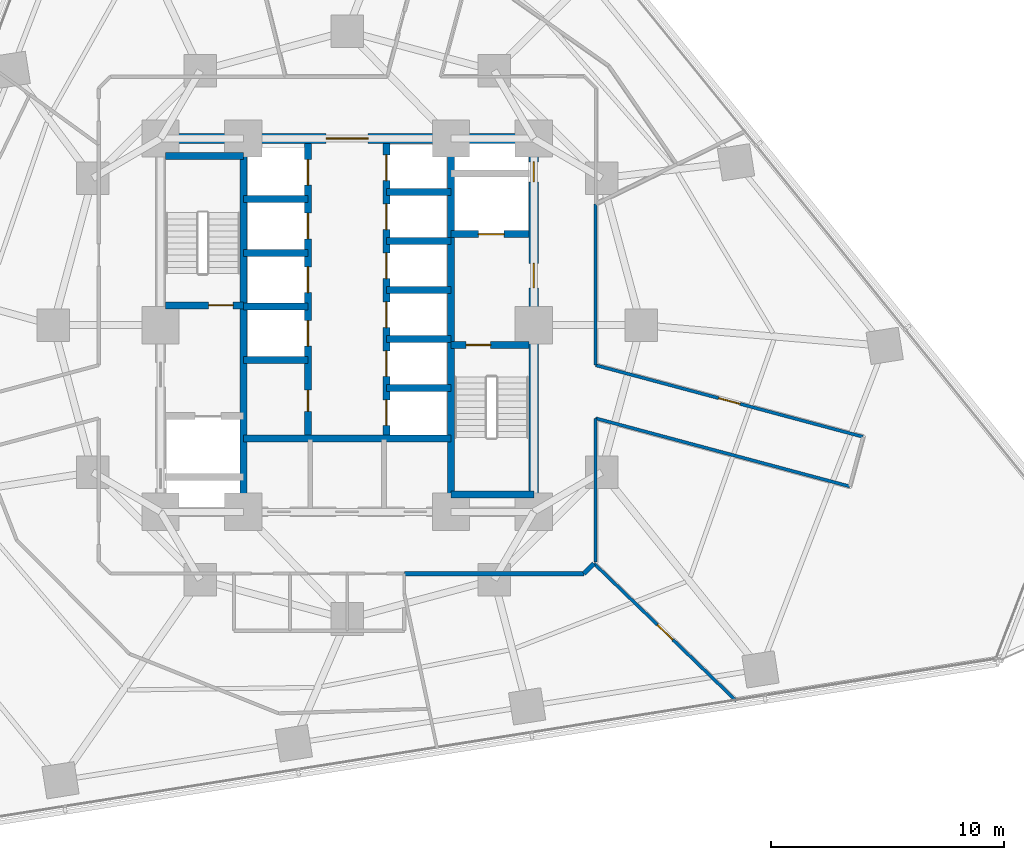
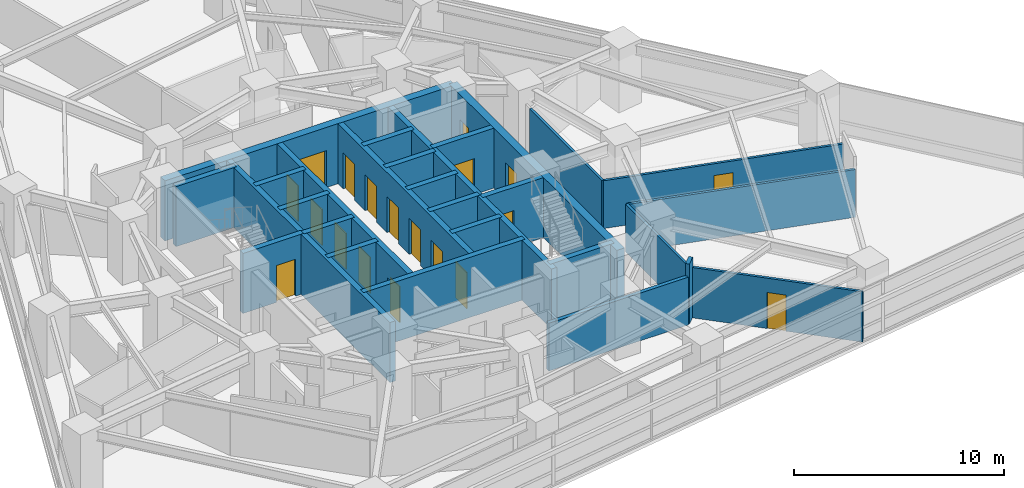
# One storey, part 8 of 14: 28 walls, 19 doors, 19 openings.
"""IFC4 building model written with IfcOpenShell, lengths in metres."""

from ifc_helpers import new_model, si_unit, direction, frame, frame_2d, origin, place, context, subcontext, project, spatial, rectangle, extrude, material, layer, layer_set, type_object, element, fill, save


model = new_model("IFC4")

# Units and contexts
model_context = context("Model", 3, precision=1e-05, world=origin(), true_north=direction((0.0, 1.0)))
body_context = subcontext(model_context, "Body", "Model", "MODEL_VIEW")
ifc_project = project(units=[si_unit("LENGTHUNIT", "METRE"), si_unit("AREAUNIT", "SQUARE_METRE"), si_unit("VOLUMEUNIT", "CUBIC_METRE"), si_unit("PLANEANGLEUNIT", "RADIAN"), si_unit("MASSUNIT", "GRAM", prefix="KILO")], contexts=[model_context])

# Site, building, storey
site_placement = place(None, origin())
site = spatial("IfcSite", under=ifc_project, at=site_placement, CompositionType="ELEMENT")
building_placement = place(site_placement, origin())
building = spatial("IfcBuilding", under=site, at=building_placement, Name="Terralouvre Media Tower", CompositionType="ELEMENT")
storey_placement = place(building_placement, frame((0.0, 0.0, 74.10009765625)))
storey = spatial("IfcBuildingStorey", under=building, at=storey_placement, Name="L18", CompositionType="ELEMENT", Elevation=74.10009765625)

# Walls
ifc_material_1 = material(Name="Concrete C50/60", Category="concrete")
ifc_layer_1 = layer(ifc_material_1, 0.300048828125, Name="Core Internal Shaft Wall CW-300")
ifc_layer_set_1 = layer_set([ifc_layer_1], Name="Concrete C50/60")
wall_type_1 = type_object("IfcWallType", Name="Core Internal Shaft Wall CW-300", PredefinedType="SHEAR", material=ifc_layer_set_1)
for number, where, z_axis, x_axis, name in (
    (1, (-4.449951171875, -7.7900390625, 0.0), (0.0, 0.0, 1.0), (0.0, 1.0, 0.0), "L18 Core Shaft Wall SPW"),
    (2, (4.449951171875, -7.7900390625, 0.0), (0.0, 0.0, 1.0), (0.0, 1.0, 0.0), "L18 Core Shaft Wall SPE"),
):
    element("IfcWall", number, at=place(storey_placement, frame(where, z_axis=z_axis, x_axis=x_axis)), inside=storey, type_object=wall_type_1, Name=name, PredefinedType="SHEAR", context=body_context, shape_type="SweptSolid", body=[
        extrude(rectangle(XDim=15.580078125, YDim=0.300048828125, at=frame_2d((7.7900390625, 0.0))), origin(), (0.0, 0.0, 1.0), 3.5),
    ])

# Wall, opening, door
wall_1_placement = place(storey_placement, frame((-7.7900390625, 0.85009765625, 0.0), z_axis=(0.0, 0.0, 1.0), x_axis=(1.0, 0.0, 0.0)))
wall_1 = element("IfcWall", 3, at=wall_1_placement, inside=storey, type_object=wall_type_1, Name="L18 Core Shaft Wall ST1D", PredefinedType="SHEAR", context=body_context, shape_type="SweptSolid", body=[
    extrude(rectangle(XDim=3.340087890625, YDim=0.300048828125, at=frame_2d((1.669921875, 0.0))), origin(), (0.0, 0.0, 1.0), 3.5),
])
opening_1_placement = place(wall_1_placement, frame((1.85009765625, 0.0, 0.0)))
opening_1 = element("IfcOpeningElement", 4, at=opening_1_placement, cuts=wall_1, Name="Opening FD-01-105X215", PredefinedType="OPENING", context=body_context, shape_type="SweptSolid", body=[
    extrude(rectangle(XDim=1.050048828125, YDim=2.14990234375, at=frame_2d((0.52490234375, 1.074951171875))), frame((0.0, 0.159912109375, 0.0), z_axis=(0.0, -1.0, 0.0), x_axis=(1.0, 0.0, 0.0)), (0.0, 0.0, 1.0), 0.320068359375),
])
ifc_material_2 = material(Name="Galvanised steel fire-resisting leaf", Category="steel")
door_type_1 = type_object("IfcDoorType", Name="Stair and Firefighting Lobby Fire Door FD-01 (1050x2150)", OperationType="NOTDEFINED", PredefinedType="DOOR", material=ifc_material_2)
door_1_placement = place(opening_1_placement, origin())
door_1 = element("IfcDoor", 5, at=door_1_placement, inside=storey, type_object=door_type_1, Name="L18 ST-01 Exit Stair Door", OperationType="SINGLE_SWING_LEFT", OverallHeight=2.14990234375, OverallWidth=1.050048828125, PredefinedType="DOOR", context=body_context, shape_type="SweptSolid", body=[
    extrude(rectangle(XDim=1.050048828125, YDim=2.14990234375, at=frame_2d((0.52490234375, 1.074951171875))), frame((0.0, 0.02490234375, 0.0), z_axis=(0.0, -1.0, 0.0), x_axis=(1.0, 0.0, 0.0)), (0.0, 0.0, 1.0), 0.050048828125),
])
fill(opening_1, door_1)

# Wall
wall_2_placement = place(storey_placement, frame((-7.7900390625, 7.260009765625, 0.0), z_axis=(0.0, 0.0, 1.0), x_axis=(1.0, 0.0, 0.0)))
element("IfcWall", 6, at=wall_2_placement, inside=storey, type_object=wall_type_1, Name="L18 Core Shaft Wall ST1F", PredefinedType="SHEAR", context=body_context, shape_type="SweptSolid", body=[
    extrude(rectangle(XDim=3.340087890625, YDim=0.300048828125, at=frame_2d((1.669921875, 0.0))), origin(), (0.0, 0.0, 1.0), 3.5),
])

# Wall, opening, door
wall_3_placement = place(storey_placement, frame((4.449951171875, -0.85009765625, 0.0), z_axis=(0.0, 0.0, 1.0), x_axis=(1.0, 0.0, 0.0)))
wall_3 = element("IfcWall", 7, at=wall_3_placement, inside=storey, type_object=wall_type_1, Name="L18 Core Shaft Wall ST2D", PredefinedType="SHEAR", context=body_context, shape_type="SweptSolid", body=[
    extrude(rectangle(XDim=3.340087890625, YDim=0.300048828125, at=frame_2d((1.669921875, 0.0))), origin(), (0.0, 0.0, 1.0), 3.5),
])
opening_2_placement = place(wall_3_placement, frame((0.64990234375, 0.0, 0.0)))
opening_2 = element("IfcOpeningElement", 8, at=opening_2_placement, cuts=wall_3, Name="Opening FD-01-105X215", PredefinedType="OPENING", context=body_context, shape_type="SweptSolid", body=[
    extrude(rectangle(XDim=1.050048828125, YDim=2.14990234375, at=frame_2d((0.52490234375, 1.074951171875))), frame((0.0, 0.159912109375, 0.0), z_axis=(0.0, -1.0, 0.0), x_axis=(1.0, 0.0, 0.0)), (0.0, 0.0, 1.0), 0.320068359375),
])
door_2_placement = place(opening_2_placement, origin())
door_2 = element("IfcDoor", 9, at=door_2_placement, inside=storey, type_object=door_type_1, Name="L18 ST-02 Exit Stair Door", OperationType="SINGLE_SWING_RIGHT", OverallHeight=2.14990234375, OverallWidth=1.050048828125, PredefinedType="DOOR", context=body_context, shape_type="SweptSolid", body=[
    extrude(rectangle(XDim=1.050048828125, YDim=2.14990234375, at=frame_2d((0.52490234375, 1.074951171875))), frame((0.0, 0.02490234375, 0.0), z_axis=(0.0, -1.0, 0.0), x_axis=(1.0, 0.0, 0.0)), (0.0, 0.0, 1.0), 0.050048828125),
])
fill(opening_2, door_2)

# Wall
wall_4_placement = place(storey_placement, frame((4.449951171875, -7.260009765625, 0.0), z_axis=(0.0, 0.0, 1.0), x_axis=(1.0, 0.0, 0.0)))
element("IfcWall", 10, at=wall_4_placement, inside=storey, type_object=wall_type_1, Name="L18 Core Shaft Wall ST2F", PredefinedType="SHEAR", context=body_context, shape_type="SweptSolid", body=[
    extrude(rectangle(XDim=3.550048828125, YDim=0.300048828125, at=frame_2d((1.77490234375, 0.0))), origin(), (0.0, 0.0, 1.0), 3.5),
])

# Wall, opening, door
wall_5_placement = place(storey_placement, frame((4.449951171875, 3.89990234375, 0.0), z_axis=(0.0, 0.0, 1.0), x_axis=(1.0, 0.0, 0.0)))
wall_5 = element("IfcWall", 11, at=wall_5_placement, inside=storey, type_object=wall_type_1, Name="L18 Core Shaft Wall FF2S", PredefinedType="SHEAR", context=body_context, shape_type="SweptSolid", body=[
    extrude(rectangle(XDim=3.340087890625, YDim=0.300048828125, at=frame_2d((1.669921875, 0.0))), origin(), (0.0, 0.0, 1.0), 3.5),
])
opening_3_placement = place(wall_5_placement, frame((1.179931640625, 0.0, 0.0)))
opening_3 = element("IfcOpeningElement", 12, at=opening_3_placement, cuts=wall_5, Name="Opening LD-FF", PredefinedType="OPENING", context=body_context, shape_type="SweptSolid", body=[
    extrude(rectangle(XDim=1.10009765625, YDim=2.10009765625, at=frame_2d((0.550048828125, 1.050048828125))), frame((0.0, 0.159912109375, 0.0), z_axis=(0.0, -1.0, 0.0), x_axis=(1.0, 0.0, 0.0)), (0.0, 0.0, 1.0), 0.320068359375),
])
ifc_material_3 = material(Name="Stainless steel 316 handrail and balustrade", Category="steel")
door_type_2 = type_object("IfcDoorType", Name="Firefighting Lift Sliding Landing Door LD-FF", OperationType="SLIDING_TO_LEFT", PredefinedType="DOOR", material=ifc_material_3)
door_3_placement = place(opening_3_placement, origin())
door_3 = element("IfcDoor", 13, at=door_3_placement, inside=storey, type_object=door_type_2, Name="L18 Firefighting Lift FFL-02 Landing Door", OperationType="SLIDING_TO_LEFT", OverallHeight=2.10009765625, OverallWidth=1.10009765625, PredefinedType="DOOR", context=body_context, shape_type="SweptSolid", body=[
    extrude(rectangle(XDim=1.10009765625, YDim=2.10009765625, at=frame_2d((0.550048828125, 1.050048828125))), frame((0.0, 0.02490234375, 0.0), z_axis=(0.0, -1.0, 0.0), x_axis=(1.0, 0.0, 0.0)), (0.0, 0.0, 1.0), 0.050048828125),
])
fill(opening_3, door_3)

# Wall
wall_6_placement = place(storey_placement, frame((-4.449951171875, -4.85009765625, 0.0), z_axis=(0.0, 0.0, 1.0), x_axis=(1.0, 0.0, 0.0)))
element("IfcWall", 14, at=wall_6_placement, inside=storey, type_object=wall_type_1, Name="L18 Core Shaft Wall CSBN", PredefinedType="SHEAR", context=body_context, shape_type="SweptSolid", body=[
    extrude(rectangle(XDim=8.89990234375, YDim=0.300048828125, at=frame_2d((4.449951171875, 0.0))), origin(), (0.0, 0.0, 1.0), 3.5),
])

# Wall, openings, doors
wall_7_placement = place(storey_placement, frame((-1.679931640625, -4.85009765625, 0.0), z_axis=(0.0, 0.0, 1.0), x_axis=(0.0, 1.0, 0.0)))
wall_7 = element("IfcWall", 15, at=wall_7_placement, inside=storey, type_object=wall_type_1, Name="L18 Core Shaft Wall LBW", PredefinedType="SHEAR", context=body_context, shape_type="SweptSolid", body=[
    extrude(rectangle(XDim=12.64013671875, YDim=0.300048828125, at=frame_2d((6.320068359375, 0.0))), origin(), (0.0, 0.0, 1.0), 3.5),
])
opening_4_placement = place(wall_7_placement, frame((3.949951171875, 0.0, 0.0)))
opening_4 = element("IfcOpeningElement", 16, at=opening_4_placement, cuts=wall_7, Name="Opening LD-PL", PredefinedType="OPENING", context=body_context, shape_type="SweptSolid", body=[
    extrude(rectangle(XDim=1.10009765625, YDim=2.10009765625, at=frame_2d((0.550048828125, 1.050048828125))), frame((0.0, 0.159912109375, 0.0), z_axis=(0.0, -1.0, 0.0), x_axis=(1.0, 0.0, 0.0)), (0.0, 0.0, 1.0), 0.320068359375),
])
opening_5_placement = place(wall_7_placement, frame((6.25, 0.0, 0.0)))
opening_5 = element("IfcOpeningElement", 17, at=opening_5_placement, cuts=wall_7, Name="Opening LD-PL", PredefinedType="OPENING", context=body_context, shape_type="SweptSolid", body=[
    extrude(rectangle(XDim=1.10009765625, YDim=2.10009765625, at=frame_2d((0.550048828125, 1.050048828125))), frame((0.0, 0.159912109375, 0.0), z_axis=(0.0, -1.0, 0.0), x_axis=(1.0, 0.0, 0.0)), (0.0, 0.0, 1.0), 0.320068359375),
])
opening_6_placement = place(wall_7_placement, frame((8.550048828125, 0.0, 0.0)))
opening_6 = element("IfcOpeningElement", 18, at=opening_6_placement, cuts=wall_7, Name="Opening LD-PL", PredefinedType="OPENING", context=body_context, shape_type="SweptSolid", body=[
    extrude(rectangle(XDim=1.10009765625, YDim=2.10009765625, at=frame_2d((0.550048828125, 1.050048828125))), frame((0.0, 0.159912109375, 0.0), z_axis=(0.0, -1.0, 0.0), x_axis=(1.0, 0.0, 0.0)), (0.0, 0.0, 1.0), 0.320068359375),
])
opening_7_placement = place(wall_7_placement, frame((10.85009765625, 0.0, 0.0)))
opening_7 = element("IfcOpeningElement", 19, at=opening_7_placement, cuts=wall_7, Name="Opening LD-PL", PredefinedType="OPENING", context=body_context, shape_type="SweptSolid", body=[
    extrude(rectangle(XDim=1.10009765625, YDim=2.10009765625, at=frame_2d((0.550048828125, 1.050048828125))), frame((0.0, 0.159912109375, 0.0), z_axis=(0.0, -1.0, 0.0), x_axis=(1.0, 0.0, 0.0)), (0.0, 0.0, 1.0), 0.320068359375),
])
opening_8_placement = place(wall_7_placement, frame((1.14990234375, 0.0, 0.0)))
opening_8 = element("IfcOpeningElement", 20, at=opening_8_placement, cuts=wall_7, Name="Opening FD-05-92X210", PredefinedType="OPENING", context=body_context, shape_type="SweptSolid", body=[
    extrude(rectangle(XDim=0.919921875, YDim=2.10009765625, at=frame_2d((0.4599609375, 1.050048828125))), frame((0.0, 0.159912109375, 0.0), z_axis=(0.0, -1.0, 0.0), x_axis=(1.0, 0.0, 0.0)), (0.0, 0.0, 1.0), 0.320068359375),
])
ifc_material_4 = material(Name="Galvanised steel fire-resisting leaf", Category="steel")
door_type_3 = type_object("IfcDoorType", Name="Core Accessible Closet Fire Door FD-05 (920x2100)", OperationType="NOTDEFINED", PredefinedType="DOOR", material=ifc_material_4)
door_4_placement = place(opening_8_placement, origin())
door_4 = element("IfcDoor", 21, at=door_4_placement, inside=storey, type_object=door_type_3, Name="L18 Core Cleaners Closet Door", OperationType="SINGLE_SWING_LEFT", OverallHeight=2.10009765625, OverallWidth=0.919921875, PredefinedType="DOOR", context=body_context, shape_type="SweptSolid", body=[
    extrude(rectangle(XDim=0.919921875, YDim=2.10009765625, at=frame_2d((0.4599609375, 1.050048828125))), frame((0.0, 0.02490234375, 0.0), z_axis=(0.0, -1.0, 0.0), x_axis=(1.0, 0.0, 0.0)), (0.0, 0.0, 1.0), 0.050048828125),
])
fill(opening_8, door_4)
ifc_material_5 = material(Name="Stainless steel 316 handrail and balustrade", Category="steel")
door_type_4 = type_object("IfcDoorType", Name="Passenger Lift Sliding Landing Door LD-PL", OperationType="SLIDING_TO_LEFT", PredefinedType="DOOR", material=ifc_material_5)
door_5_placement = place(opening_4_placement, origin())
door_5 = element("IfcDoor", 22, at=door_5_placement, inside=storey, type_object=door_type_4, Name="L18 Low-Rise Lift PL-L1 Landing Door", OperationType="SLIDING_TO_LEFT", OverallHeight=2.10009765625, OverallWidth=1.10009765625, PredefinedType="DOOR", context=body_context, shape_type="SweptSolid", body=[
    extrude(rectangle(XDim=1.10009765625, YDim=2.10009765625, at=frame_2d((0.550048828125, 1.050048828125))), frame((0.0, 0.02490234375, 0.0), z_axis=(0.0, -1.0, 0.0), x_axis=(1.0, 0.0, 0.0)), (0.0, 0.0, 1.0), 0.050048828125),
])
fill(opening_4, door_5)
door_6_placement = place(opening_5_placement, origin())
door_6 = element("IfcDoor", 23, at=door_6_placement, inside=storey, type_object=door_type_4, Name="L18 Low-Rise Lift PL-L2 Landing Door", OperationType="SLIDING_TO_LEFT", OverallHeight=2.10009765625, OverallWidth=1.10009765625, PredefinedType="DOOR", context=body_context, shape_type="SweptSolid", body=[
    extrude(rectangle(XDim=1.10009765625, YDim=2.10009765625, at=frame_2d((0.550048828125, 1.050048828125))), frame((0.0, 0.02490234375, 0.0), z_axis=(0.0, -1.0, 0.0), x_axis=(1.0, 0.0, 0.0)), (0.0, 0.0, 1.0), 0.050048828125),
])
fill(opening_5, door_6)
door_7_placement = place(opening_6_placement, origin())
door_7 = element("IfcDoor", 24, at=door_7_placement, inside=storey, type_object=door_type_4, Name="L18 Low-Rise Lift PL-L3 Landing Door", OperationType="SLIDING_TO_LEFT", OverallHeight=2.10009765625, OverallWidth=1.10009765625, PredefinedType="DOOR", context=body_context, shape_type="SweptSolid", body=[
    extrude(rectangle(XDim=1.10009765625, YDim=2.10009765625, at=frame_2d((0.550048828125, 1.050048828125))), frame((0.0, 0.02490234375, 0.0), z_axis=(0.0, -1.0, 0.0), x_axis=(1.0, 0.0, 0.0)), (0.0, 0.0, 1.0), 0.050048828125),
])
fill(opening_6, door_7)
door_8_placement = place(opening_7_placement, origin())
door_8 = element("IfcDoor", 25, at=door_8_placement, inside=storey, type_object=door_type_4, Name="L18 Low-Rise Lift PL-L4 Landing Door", OperationType="SLIDING_TO_LEFT", OverallHeight=2.10009765625, OverallWidth=1.10009765625, PredefinedType="DOOR", context=body_context, shape_type="SweptSolid", body=[
    extrude(rectangle(XDim=1.10009765625, YDim=2.10009765625, at=frame_2d((0.550048828125, 1.050048828125))), frame((0.0, 0.02490234375, 0.0), z_axis=(0.0, -1.0, 0.0), x_axis=(1.0, 0.0, 0.0)), (0.0, 0.0, 1.0), 0.050048828125),
])
fill(opening_7, door_8)

wall_8_placement = place(storey_placement, frame((1.679931640625, -4.85009765625, 0.0), z_axis=(0.0, 0.0, 1.0), x_axis=(0.0, 1.0, 0.0)))
wall_8 = element("IfcWall", 26, at=wall_8_placement, inside=storey, type_object=wall_type_1, Name="L18 Core Shaft Wall LBE", PredefinedType="SHEAR", context=body_context, shape_type="SweptSolid", body=[
    extrude(rectangle(XDim=12.64013671875, YDim=0.300048828125, at=frame_2d((6.320068359375, 0.0))), origin(), (0.0, 0.0, 1.0), 3.5),
])
opening_9_placement = place(wall_8_placement, frame((0.550048828125, 0.0, 0.0)))
opening_9 = element("IfcOpeningElement", 27, at=opening_9_placement, cuts=wall_8, Name="Opening LD-PL", PredefinedType="OPENING", context=body_context, shape_type="SweptSolid", body=[
    extrude(rectangle(XDim=1.10009765625, YDim=2.10009765625, at=frame_2d((0.550048828125, 1.050048828125))), frame((0.0, 0.159912109375, 0.0), z_axis=(0.0, -1.0, 0.0), x_axis=(1.0, 0.0, 0.0)), (0.0, 0.0, 1.0), 0.320068359375),
])
opening_10_placement = place(wall_8_placement, frame((2.64990234375, 0.0, 0.0)))
opening_10 = element("IfcOpeningElement", 28, at=opening_10_placement, cuts=wall_8, Name="Opening LD-PL", PredefinedType="OPENING", context=body_context, shape_type="SweptSolid", body=[
    extrude(rectangle(XDim=1.10009765625, YDim=2.10009765625, at=frame_2d((0.550048828125, 1.050048828125))), frame((0.0, 0.159912109375, 0.0), z_axis=(0.0, -1.0, 0.0), x_axis=(1.0, 0.0, 0.0)), (0.0, 0.0, 1.0), 0.320068359375),
])
opening_11_placement = place(wall_8_placement, frame((4.75, 0.0, 0.0)))
opening_11 = element("IfcOpeningElement", 29, at=opening_11_placement, cuts=wall_8, Name="Opening LD-PL", PredefinedType="OPENING", context=body_context, shape_type="SweptSolid", body=[
    extrude(rectangle(XDim=1.10009765625, YDim=2.10009765625, at=frame_2d((0.550048828125, 1.050048828125))), frame((0.0, 0.159912109375, 0.0), z_axis=(0.0, -1.0, 0.0), x_axis=(1.0, 0.0, 0.0)), (0.0, 0.0, 1.0), 0.320068359375),
])
opening_12_placement = place(wall_8_placement, frame((6.85009765625, 0.0, 0.0)))
opening_12 = element("IfcOpeningElement", 30, at=opening_12_placement, cuts=wall_8, Name="Opening LD-PL", PredefinedType="OPENING", context=body_context, shape_type="SweptSolid", body=[
    extrude(rectangle(XDim=1.10009765625, YDim=2.10009765625, at=frame_2d((0.550048828125, 1.050048828125))), frame((0.0, 0.159912109375, 0.0), z_axis=(0.0, -1.0, 0.0), x_axis=(1.0, 0.0, 0.0)), (0.0, 0.0, 1.0), 0.320068359375),
])
opening_13_placement = place(wall_8_placement, frame((8.949951171875, 0.0, 0.0)))
opening_13 = element("IfcOpeningElement", 31, at=opening_13_placement, cuts=wall_8, Name="Opening LD-PL", PredefinedType="OPENING", context=body_context, shape_type="SweptSolid", body=[
    extrude(rectangle(XDim=1.10009765625, YDim=2.10009765625, at=frame_2d((0.550048828125, 1.050048828125))), frame((0.0, 0.159912109375, 0.0), z_axis=(0.0, -1.0, 0.0), x_axis=(1.0, 0.0, 0.0)), (0.0, 0.0, 1.0), 0.320068359375),
])
opening_14_placement = place(wall_8_placement, frame((11.050048828125, 0.0, 0.0)))
opening_14 = element("IfcOpeningElement", 32, at=opening_14_placement, cuts=wall_8, Name="Opening LD-PL", PredefinedType="OPENING", context=body_context, shape_type="SweptSolid", body=[
    extrude(rectangle(XDim=1.10009765625, YDim=2.10009765625, at=frame_2d((0.550048828125, 1.050048828125))), frame((0.0, 0.159912109375, 0.0), z_axis=(0.0, -1.0, 0.0), x_axis=(1.0, 0.0, 0.0)), (0.0, 0.0, 1.0), 0.320068359375),
])
door_9_placement = place(opening_9_placement, origin())
door_9 = element("IfcDoor", 33, at=door_9_placement, inside=storey, type_object=door_type_4, Name="L18 High-Rise Lift PL-H1 Landing Door", OperationType="SLIDING_TO_LEFT", OverallHeight=2.10009765625, OverallWidth=1.10009765625, PredefinedType="DOOR", context=body_context, shape_type="SweptSolid", body=[
    extrude(rectangle(XDim=1.10009765625, YDim=2.10009765625, at=frame_2d((0.550048828125, 1.050048828125))), frame((0.0, 0.02490234375, 0.0), z_axis=(0.0, -1.0, 0.0), x_axis=(1.0, 0.0, 0.0)), (0.0, 0.0, 1.0), 0.050048828125),
])
fill(opening_9, door_9)
door_10_placement = place(opening_10_placement, origin())
door_10 = element("IfcDoor", 34, at=door_10_placement, inside=storey, type_object=door_type_4, Name="L18 High-Rise Lift PL-H2 Landing Door", OperationType="SLIDING_TO_LEFT", OverallHeight=2.10009765625, OverallWidth=1.10009765625, PredefinedType="DOOR", context=body_context, shape_type="SweptSolid", body=[
    extrude(rectangle(XDim=1.10009765625, YDim=2.10009765625, at=frame_2d((0.550048828125, 1.050048828125))), frame((0.0, 0.02490234375, 0.0), z_axis=(0.0, -1.0, 0.0), x_axis=(1.0, 0.0, 0.0)), (0.0, 0.0, 1.0), 0.050048828125),
])
fill(opening_10, door_10)
door_11_placement = place(opening_11_placement, origin())
door_11 = element("IfcDoor", 35, at=door_11_placement, inside=storey, type_object=door_type_4, Name="L18 High-Rise Lift PL-H3 Landing Door", OperationType="SLIDING_TO_LEFT", OverallHeight=2.10009765625, OverallWidth=1.10009765625, PredefinedType="DOOR", context=body_context, shape_type="SweptSolid", body=[
    extrude(rectangle(XDim=1.10009765625, YDim=2.10009765625, at=frame_2d((0.550048828125, 1.050048828125))), frame((0.0, 0.02490234375, 0.0), z_axis=(0.0, -1.0, 0.0), x_axis=(1.0, 0.0, 0.0)), (0.0, 0.0, 1.0), 0.050048828125),
])
fill(opening_11, door_11)
door_12_placement = place(opening_12_placement, origin())
door_12 = element("IfcDoor", 36, at=door_12_placement, inside=storey, type_object=door_type_4, Name="L18 Mid-Rise Lift PL-M1 Landing Door", OperationType="SLIDING_TO_LEFT", OverallHeight=2.10009765625, OverallWidth=1.10009765625, PredefinedType="DOOR", context=body_context, shape_type="SweptSolid", body=[
    extrude(rectangle(XDim=1.10009765625, YDim=2.10009765625, at=frame_2d((0.550048828125, 1.050048828125))), frame((0.0, 0.02490234375, 0.0), z_axis=(0.0, -1.0, 0.0), x_axis=(1.0, 0.0, 0.0)), (0.0, 0.0, 1.0), 0.050048828125),
])
fill(opening_12, door_12)
door_13_placement = place(opening_13_placement, origin())
door_13 = element("IfcDoor", 37, at=door_13_placement, inside=storey, type_object=door_type_4, Name="L18 Mid-Rise Lift PL-M2 Landing Door", OperationType="SLIDING_TO_LEFT", OverallHeight=2.10009765625, OverallWidth=1.10009765625, PredefinedType="DOOR", context=body_context, shape_type="SweptSolid", body=[
    extrude(rectangle(XDim=1.10009765625, YDim=2.10009765625, at=frame_2d((0.550048828125, 1.050048828125))), frame((0.0, 0.02490234375, 0.0), z_axis=(0.0, -1.0, 0.0), x_axis=(1.0, 0.0, 0.0)), (0.0, 0.0, 1.0), 0.050048828125),
])
fill(opening_13, door_13)
door_14_placement = place(opening_14_placement, origin())
door_14 = element("IfcDoor", 38, at=door_14_placement, inside=storey, type_object=door_type_4, Name="L18 Mid-Rise Lift PL-M3 Landing Door", OperationType="SLIDING_TO_LEFT", OverallHeight=2.10009765625, OverallWidth=1.10009765625, PredefinedType="DOOR", context=body_context, shape_type="SweptSolid", body=[
    extrude(rectangle(XDim=1.10009765625, YDim=2.10009765625, at=frame_2d((0.550048828125, 1.050048828125))), frame((0.0, 0.02490234375, 0.0), z_axis=(0.0, -1.0, 0.0), x_axis=(1.0, 0.0, 0.0)), (0.0, 0.0, 1.0), 0.050048828125),
])
fill(opening_14, door_14)

# Walls
for number, where, z_axis, x_axis, name in (
    (39, (-4.449951171875, -1.5, 0.0), (0.0, 0.0, 1.0), (1.0, 0.0, 0.0), "L18 Core Shaft Wall PLLD0"),
    (40, (-4.449951171875, 0.800048828125, 0.0), (0.0, 0.0, 1.0), (1.0, 0.0, 0.0), "L18 Core Shaft Wall PLLD1"),
    (41, (-4.449951171875, 3.10009765625, 0.0), (0.0, 0.0, 1.0), (1.0, 0.0, 0.0), "L18 Core Shaft Wall PLLD2"),
    (42, (-4.449951171875, 5.39990234375, 0.0), (0.0, 0.0, 1.0), (1.0, 0.0, 0.0), "L18 Core Shaft Wall PLLD3"),
    (43, (1.679931640625, 1.5, 0.0), (0.0, 0.0, 1.0), (1.0, 0.0, 0.0), "L18 Core Shaft Wall PLMD0"),
    (44, (1.679931640625, 3.60009765625, 0.0), (0.0, 0.0, 1.0), (1.0, 0.0, 0.0), "L18 Core Shaft Wall PLMD1"),
    (45, (1.679931640625, 5.699951171875, 0.0), (0.0, 0.0, 1.0), (1.0, 0.0, 0.0), "L18 Core Shaft Wall PLMD2"),
    (46, (1.679931640625, -2.699951171875, 0.0), (0.0, 0.0, 1.0), (1.0, 0.0, 0.0), "L18 Core Shaft Wall PLHD1"),
    (47, (1.679931640625, -0.60009765625, 0.0), (0.0, 0.0, 1.0), (1.0, 0.0, 0.0), "L18 Core Shaft Wall PLHD2"),
):
    element("IfcWall", number, at=place(storey_placement, frame(where, z_axis=z_axis, x_axis=x_axis)), inside=storey, type_object=wall_type_1, Name=name, PredefinedType="SHEAR", context=body_context, shape_type="SweptSolid", body=[
        extrude(rectangle(XDim=2.77001953125, YDim=0.300048828125, at=frame_2d((1.385009765625, 0.0))), origin(), (0.0, 0.0, 1.0), 3.5),
    ])

# Wall, openings, doors
ifc_material_6 = material(Name="Concrete C60/75", Category="concrete")
ifc_layer_2 = layer(ifc_material_6, 0.419921875, Name="Core Reinforced Concrete Shear Wall CW-420")
ifc_layer_set_2 = layer_set([ifc_layer_2], Name="Concrete C60/75")
wall_type_2 = type_object("IfcWallType", Name="Core Reinforced Concrete Shear Wall CW-420", PredefinedType="SHEAR", material=ifc_layer_set_2)
wall_9_placement = place(storey_placement, frame((8.0, -8.0, 0.0), z_axis=(0.0, 0.0, 1.0), x_axis=(0.0, 1.0, 0.0)))
wall_9 = element("IfcWall", 48, at=wall_9_placement, inside=storey, type_object=wall_type_2, Name="L18 E Core Shear Wall", PredefinedType="SHEAR", context=body_context, shape_type="SweptSolid", body=[
    extrude(rectangle(XDim=16.0, YDim=0.419921875, at=frame_2d((8.0, 0.0))), origin(), (0.0, 0.0, 1.0), 3.5),
])
opening_15_placement = place(wall_9_placement, frame((9.60009765625, 0.0, 0.0)))
opening_15 = element("IfcOpeningElement", 49, at=opening_15_placement, cuts=wall_9, Name="Opening FD-01-105X215", PredefinedType="OPENING", context=body_context, shape_type="SweptSolid", body=[
    extrude(rectangle(XDim=1.050048828125, YDim=2.14990234375, at=frame_2d((0.52490234375, 1.074951171875))), frame((0.0, 0.219970703125, 0.0), z_axis=(0.0, -1.0, 0.0), x_axis=(1.0, 0.0, 0.0)), (0.0, 0.0, 1.0), 0.43994140625),
])
opening_16_placement = place(wall_9_placement, frame((14.148193359375, 0.0, 0.0)))
opening_16 = element("IfcOpeningElement", 50, at=opening_16_placement, cuts=wall_9, Name="Opening TD-R1", PredefinedType="OPENING", context=body_context, shape_type="SweptSolid", body=[
    extrude(rectangle(XDim=0.85009765625, YDim=2.02001953125, at=frame_2d((0.425048828125, 1.010009765625))), frame((0.0, 0.219970703125, 0.0), z_axis=(0.0, -1.0, 0.0), x_axis=(1.0, 0.0, 0.0)), (0.0, 0.0, 1.0), 0.43994140625),
])
ifc_material_7 = material(Name="Galvanised steel fire-resisting leaf", Category="steel")
door_type_5 = type_object("IfcDoorType", Name="Riser Inspection Access Trapdoor TD-R1", OperationType="NOTDEFINED", PredefinedType="TRAPDOOR", material=ifc_material_7)
door_15_placement = place(opening_16_placement, origin())
door_15 = element("IfcDoor", 51, at=door_15_placement, inside=storey, type_object=door_type_5, Name="L18 East Comms Riser Access Trapdoor", OperationType="SINGLE_SWING_RIGHT", OverallHeight=2.02001953125, OverallWidth=0.85009765625, PredefinedType="TRAPDOOR", context=body_context, shape_type="SweptSolid", body=[
    extrude(rectangle(XDim=0.85009765625, YDim=2.02001953125, at=frame_2d((0.425048828125, 1.010009765625))), frame((0.0, 0.02490234375, 0.0), z_axis=(0.0, -1.0, 0.0), x_axis=(1.0, 0.0, 0.0)), (0.0, 0.0, 1.0), 0.050048828125),
])
fill(opening_16, door_15)
door_16_placement = place(opening_15_placement, origin())
door_16 = element("IfcDoor", 52, at=door_16_placement, inside=storey, type_object=door_type_1, Name="L18 East Firefighting Lobby Entry Door", OperationType="SINGLE_SWING_LEFT", OverallHeight=2.14990234375, OverallWidth=1.050048828125, PredefinedType="DOOR", context=body_context, shape_type="SweptSolid", body=[
    extrude(rectangle(XDim=1.050048828125, YDim=2.14990234375, at=frame_2d((0.52490234375, 1.074951171875))), frame((0.0, 0.02490234375, 0.0), z_axis=(0.0, -1.0, 0.0), x_axis=(1.0, 0.0, 0.0)), (0.0, 0.0, 1.0), 0.050048828125),
])
fill(opening_15, door_16)

# Wall, opening, door
wall_10_placement = place(storey_placement, frame((-8.0, 8.0, 0.0), z_axis=(0.0, 0.0, 1.0), x_axis=(1.0, 0.0, 0.0)))
wall_10 = element("IfcWall", 53, at=wall_10_placement, inside=storey, type_object=wall_type_2, Name="L18 N Core Shear Wall", PredefinedType="SHEAR", context=body_context, shape_type="SweptSolid", body=[
    extrude(rectangle(XDim=16.0, YDim=0.419921875, at=frame_2d((8.0, 0.0))), origin(), (0.0, 0.0, 1.0), 3.5),
])
opening_17_placement = place(wall_10_placement, frame((7.10009765625, 0.0, 0.0)))
opening_17 = element("IfcOpeningElement", 54, at=opening_17_placement, cuts=wall_10, Name="Opening FD-03", PredefinedType="OPENING", context=body_context, shape_type="SweptSolid", body=[
    extrude(rectangle(XDim=1.800048828125, YDim=2.14990234375, at=frame_2d((0.89990234375, 1.074951171875))), frame((0.0, 0.219970703125, 0.0), z_axis=(0.0, -1.0, 0.0), x_axis=(1.0, 0.0, 0.0)), (0.0, 0.0, 1.0), 0.43994140625),
])
ifc_material_8 = material(Name="Galvanised steel fire-resisting leaf", Category="steel")
door_type_6 = type_object("IfcDoorType", Name="Corridor Smoke-Control Double Door FD-03", OperationType="DOUBLE_DOOR_SINGLE_SWING", PredefinedType="DOOR", material=ifc_material_8)
door_17_placement = place(opening_17_placement, origin())
door_17 = element("IfcDoor", 55, at=door_17_placement, inside=storey, type_object=door_type_6, Name="L18 Central Lift Lobby Portal Door", OperationType="DOUBLE_DOOR_SINGLE_SWING", OverallHeight=2.14990234375, OverallWidth=1.800048828125, PredefinedType="DOOR", context=body_context, shape_type="SweptSolid", body=[
    extrude(rectangle(XDim=1.800048828125, YDim=2.14990234375, at=frame_2d((0.89990234375, 1.074951171875))), frame((0.0, 0.02490234375, 0.0), z_axis=(0.0, -1.0, 0.0), x_axis=(1.0, 0.0, 0.0)), (0.0, 0.0, 1.0), 0.050048828125),
])
fill(opening_17, door_17)

# Walls
ifc_material_9 = material(Name="Fire-rated gypsum board drywall partition")
ifc_layer_3 = layer(ifc_material_9, 0.199951171875, Name="Fire-Rated Shaft and Lobby Partition FW-200")
ifc_layer_set_3 = layer_set([ifc_layer_3], Name="Fire-rated gypsum board drywall partition")
wall_type_3 = type_object("IfcWallType", Name="Fire-Rated Shaft and Lobby Partition FW-200", PredefinedType="SOLIDWALL", material=ifc_layer_set_3)
wall_11_placement = place(storey_placement, frame((2.449951171875, -10.64990234375, 0.0), z_axis=(0.0, 0.0, 1.0), x_axis=(1.0, 0.0, 0.0)))
element("IfcWall", 56, at=wall_11_placement, inside=storey, type_object=wall_type_3, Name="L18 Interior Partition 027", PredefinedType="SOLIDWALL", context=body_context, shape_type="SweptSolid", body=[
    extrude(rectangle(XDim=7.699951171875, YDim=0.199951171875, at=frame_2d((3.85009765625, 0.0))), origin(), (0.0, 0.0, 1.0), 2.784912109375),
])
wall_12_placement = place(storey_placement, frame((10.14990234375, -10.64990234375, 0.0), z_axis=(0.0, 0.0, 1.0), x_axis=(0.70730655707, 0.706906948845, 0.0)))
element("IfcWall", 57, at=wall_12_placement, inside=storey, type_object=wall_type_3, Name="L18 Interior Partition 028", PredefinedType="SOLIDWALL", context=body_context, shape_type="SweptSolid", body=[
    extrude(rectangle(XDim=0.61083984375, YDim=0.199951171875, at=frame_2d((0.305419921875, 0.0))), origin(), (0.0, 0.0, 1.0), 3.5),
])
ifc_material_10 = material(Name="Fire-rated gypsum board drywall partition")
ifc_layer_4 = layer(ifc_material_10, 0.135009765625, Name="Newsroom Acoustic Partition PT-135")
ifc_layer_set_4 = layer_set([ifc_layer_4], Name="Fire-rated gypsum board drywall partition")
wall_type_4 = type_object("IfcWallType", Name="Newsroom Acoustic Partition PT-135", PredefinedType="PARTITIONING", material=ifc_layer_set_4)
wall_13_placement = place(storey_placement, frame((10.64990234375, -10.14990234375, 0.0), z_axis=(0.0, 0.0, 1.0), x_axis=(0.0, 1.0, 0.0)))
element("IfcWall", 58, at=wall_13_placement, inside=storey, type_object=wall_type_4, Name="L18 Interior Partition 001", PredefinedType="PARTITIONING", context=body_context, shape_type="SweptSolid", body=[
    extrude(rectangle(XDim=6.157958984375, YDim=0.135009765625, at=frame_2d((3.0791015625, 0.0))), origin(), (0.0, 0.0, 1.0), 2.784912109375),
])
wall_14_placement = place(storey_placement, frame((10.64990234375, -3.991943359375, 0.0), z_axis=(0.0, 0.0, 1.0), x_axis=(0.965906888357, -0.258889712088, 0.0)))
element("IfcWall", 59, at=wall_14_placement, inside=storey, type_object=wall_type_4, Name="L18 Interior Partition 002", PredefinedType="PARTITIONING", context=body_context, shape_type="SweptSolid", body=[
    extrude(rectangle(XDim=11.279541015625, YDim=0.135009765625, at=frame_2d((5.6396484375, 0.0))), origin(), (0.0, 0.0, 1.0), 2.784912109375),
])

# Wall, opening, door
wall_15_placement = place(storey_placement, frame((22.114990234375, -4.787109375, 0.0), z_axis=(0.0, 0.0, 1.0), x_axis=(-0.965926659449, 0.258815935688, 0.0)))
wall_15 = element("IfcWall", 60, at=wall_15_placement, inside=storey, type_object=wall_type_4, Name="L18 Interior Partition 004", PredefinedType="PARTITIONING", context=body_context, shape_type="SweptSolid", body=[
    extrude(rectangle(XDim=11.86962890625, YDim=0.135009765625, at=frame_2d((5.934814453125, 0.0))), origin(), (0.0, 0.0, 1.0), 2.784912109375),
])
opening_18_placement = place(wall_15_placement, frame((5.459716796875, 0.0, 0.0)))
opening_18 = element("IfcOpeningElement", 61, at=opening_18_placement, cuts=wall_15, Name="Opening ID-02-95X210", PredefinedType="OPENING", context=body_context, shape_type="SweptSolid", body=[
    extrude(rectangle(XDim=0.949951171875, YDim=2.10009765625, at=frame_2d((0.47509765625, 1.050048828125))), frame((0.0, 0.077392578125, 0.0), z_axis=(0.0, -1.0, 0.0), x_axis=(1.0, 0.0, 0.0)), (0.0, 0.0, 1.0), 0.155029296875),
])
ifc_material_11 = material(Name="Engineered hardwood acoustic timber leaf", Category="wood")
door_type_7 = type_object("IfcDoorType", Name="Office and Meeting Room Door ID-02 (950x2100)", OperationType="NOTDEFINED", PredefinedType="DOOR", material=ifc_material_11)
door_18_placement = place(opening_18_placement, origin())
door_18 = element("IfcDoor", 62, at=door_18_placement, inside=storey, type_object=door_type_7, Name="L18 Podcast Host Green Lounge 1 Door", OperationType="SINGLE_SWING_RIGHT", OverallHeight=2.10009765625, OverallWidth=0.949951171875, PredefinedType="DOOR", context=body_context, shape_type="SweptSolid", body=[
    extrude(rectangle(XDim=0.949951171875, YDim=2.10009765625, at=frame_2d((0.47509765625, 1.050048828125))), frame((0.0, 0.02490234375, 0.0), z_axis=(0.0, -1.0, 0.0), x_axis=(1.0, 0.0, 0.0)), (0.0, 0.0, 1.0), 0.050048828125),
])
fill(opening_18, door_18)

# Wall
wall_16_placement = place(storey_placement, frame((10.64990234375, -1.715087890625, 0.0), z_axis=(0.0, 0.0, 1.0), x_axis=(0.0, 1.0, 0.0)))
element("IfcWall", 63, at=wall_16_placement, inside=storey, type_object=wall_type_4, Name="L18 Interior Partition 005", PredefinedType="PARTITIONING", context=body_context, shape_type="SweptSolid", body=[
    extrude(rectangle(XDim=6.9091796875, YDim=0.135009765625, at=frame_2d((3.45458984375, 0.0))), origin(), (0.0, 0.0, 1.0), 2.784912109375),
])

# Wall, opening, door
wall_17_placement = place(storey_placement, frame((10.58203125, -10.218017578125, 0.0), z_axis=(0.0, 0.0, 1.0), x_axis=(0.719282851578, -0.694717337789, 0.0)))
wall_17 = element("IfcWall", 64, at=wall_17_placement, inside=storey, type_object=wall_type_4, Name="L18 Interior Partition 034", PredefinedType="PARTITIONING", context=body_context, shape_type="SweptSolid", body=[
    extrude(rectangle(XDim=8.477294921875, YDim=0.135009765625, at=frame_2d((4.23876953125, 0.0))), origin(), (0.0, 0.0, 1.0), 2.934814453125),
])
opening_19_placement = place(wall_17_placement, frame((3.77880859375, 0.0, 0.0)))
opening_19 = element("IfcOpeningElement", 65, at=opening_19_placement, cuts=wall_17, Name="Opening FD-05-92X210", PredefinedType="OPENING", context=body_context, shape_type="SweptSolid", body=[
    extrude(rectangle(XDim=0.919921875, YDim=2.10009765625, at=frame_2d((0.4599609375, 1.050048828125))), frame((0.0, 0.077392578125, 0.0), z_axis=(0.0, -1.0, 0.0), x_axis=(1.0, 0.0, 0.0)), (0.0, 0.0, 1.0), 0.155029296875),
])
door_19_placement = place(opening_19_placement, origin())
door_19 = element("IfcDoor", 66, at=door_19_placement, inside=storey, type_object=door_type_3, Name="L18 Amplifier Rack Switch Room 8 Door", OperationType="SINGLE_SWING_LEFT", OverallHeight=2.10009765625, OverallWidth=0.919921875, PredefinedType="DOOR", context=body_context, shape_type="SweptSolid", body=[
    extrude(rectangle(XDim=0.919921875, YDim=2.10009765625, at=frame_2d((0.4599609375, 1.050048828125))), frame((0.0, 0.02490234375, 0.0), z_axis=(0.0, -1.0, 0.0), x_axis=(1.0, 0.0, 0.0)), (0.0, 0.0, 1.0), 0.050048828125),
])
fill(opening_19, door_19)

save(model, "model.ifc")
